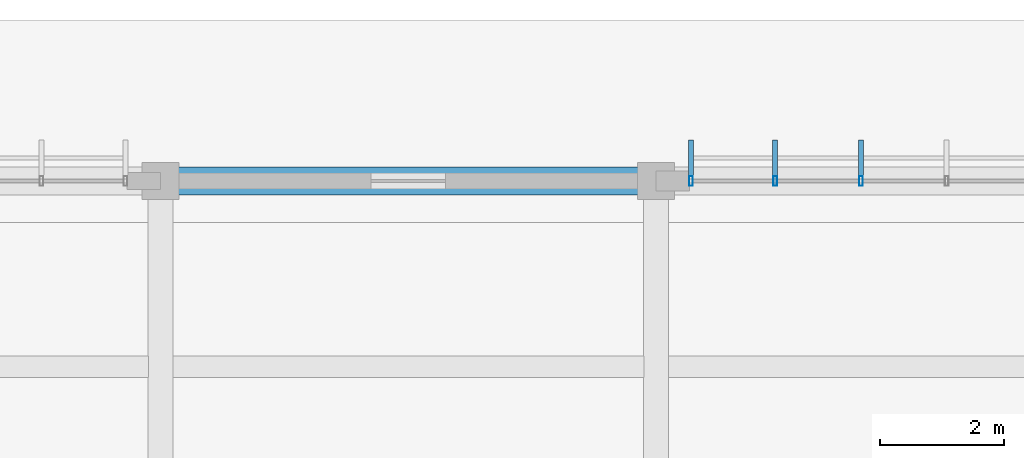
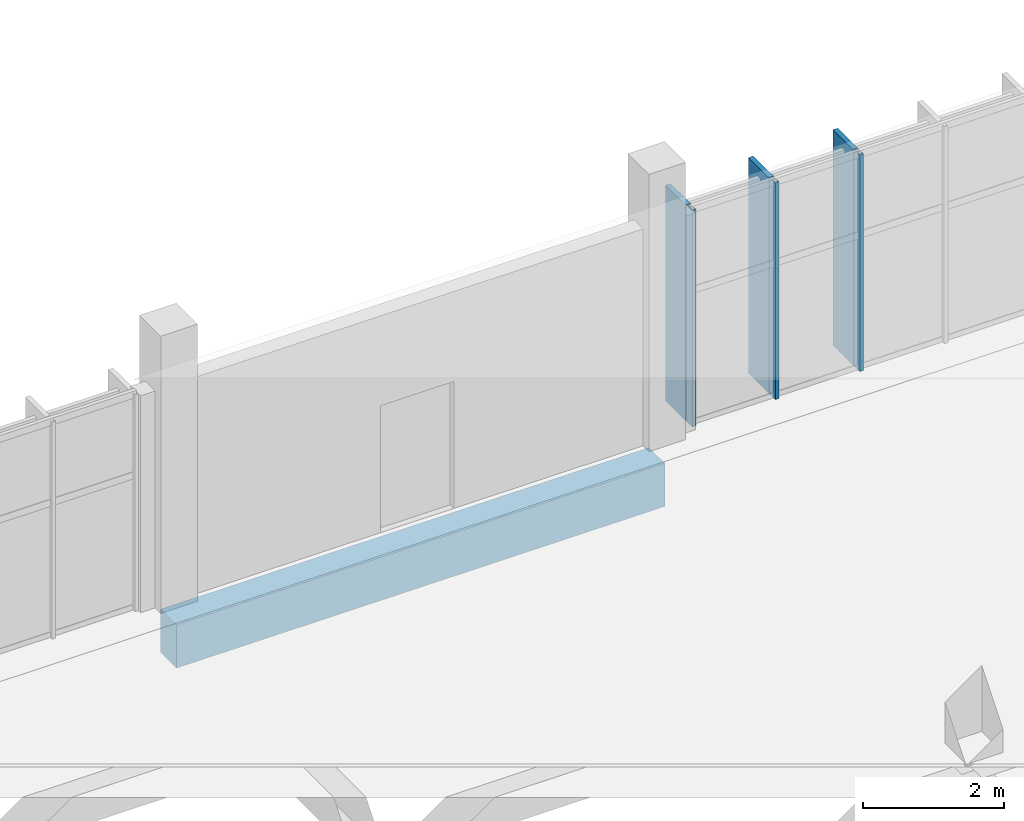
# One storey, part 95 of 151: 6 members, 1 beam, 1 element without a shape of its own.
"""IFC4 building model written with IfcOpenShell, lengths in metres."""

from ifc_helpers import new_model, si_unit, direction, frame, origin, origin_2d, place, context, subcontext, project, spatial, rectangle, hollow_rectangle, extrude, material, material_profile, profile_set, type_object, element, aggregate, save


model = new_model("IFC4")

# Units and contexts
model_context = context("Model", 3, precision=1e-05, world=origin(), true_north=direction((0.0, 1.0)))
body_context = subcontext(model_context, "Body", "Model", "MODEL_VIEW")
ifc_project = project(units=[si_unit("LENGTHUNIT", "METRE"), si_unit("AREAUNIT", "SQUARE_METRE"), si_unit("VOLUMEUNIT", "CUBIC_METRE"), si_unit("PLANEANGLEUNIT", "RADIAN"), si_unit("MASSUNIT", "GRAM", prefix="KILO")], contexts=[model_context])

# Site, building, storey
site_placement = place(None, origin())
site = spatial("IfcSite", under=ifc_project, at=site_placement, CompositionType="ELEMENT")
building_placement = place(site_placement, origin())
building = spatial("IfcBuilding", under=site, at=building_placement, Name="Chiffa Square Polytechnic", CompositionType="ELEMENT")
storey_placement = place(building_placement, origin())
storey = spatial("IfcBuildingStorey", under=building, at=storey_placement, Name="L00", CompositionType="ELEMENT", Elevation=0.0)

# Beam
ifc_material_1 = material(Name="Concrete C35/45", Category="concrete")
ifc_material_profile_1 = material_profile(ifc_material_1, rectangle(XDim=0.449951171875, YDim=0.75, at=origin_2d()), Name="RC 450x750")
ifc_profile_set_1 = profile_set([ifc_material_profile_1], Name="Concrete C35/45")
beam_type = type_object("IfcBeamType", Name="BM-RC-450X750", PredefinedType="BEAM", material=ifc_profile_set_1)
beam_placement = place(storey_placement, frame((32.0, 130.800048828125, -0.72509765625), z_axis=(1.0, 0.0, 0.0), x_axis=(0.0, 1.0, 0.0)))
element("IfcBeam", 1, at=beam_placement, inside=storey, type_object=beam_type, Name="Primary floor girder BM-V5-L00-X-0320-1308", PredefinedType="BEAM", context=body_context, shape_type="SweptSolid", body=[
    extrude(rectangle(XDim=0.449951171875, YDim=0.75, at=origin_2d()), origin(), (0.0, 0.0, 1.0), 8.0),
])

# Curtain wall, members
ifc_material_2 = material(Name="Aluminium EN AW-6060 T66 and glulam shading", Category="wood")
curtain_wall_type = type_object("IfcCurtainWallType", Name="CW-VERT-300X380", PredefinedType="USERDEFINED", material=ifc_material_2)
curtain_wall_placement = place(storey_placement, origin())
curtain_wall = element("IfcCurtainWall", 2, at=curtain_wall_placement, inside=storey, type_object=curtain_wall_type, Name="Curtain wall CW-V5-L00-195", ObjectType="CURTAIN WALL", PredefinedType="USERDEFINED")
ifc_material_3 = material(Name="Aluminium EN AW-6060 T66", Category="aluminium")
ifc_material_profile_2 = material_profile(ifc_material_3, hollow_rectangle(XDim=0.06005859375, YDim=0.159912109375, WallThickness=0.00390625, at=origin_2d()), Name="ALU 60x160x4")
ifc_profile_set_2 = profile_set([ifc_material_profile_2], Name="Aluminium EN AW-6060 T66")
member_type_1 = type_object("IfcMemberType", Name="CWM-ALU-65X150", PredefinedType="MULLION", material=ifc_profile_set_2)
member_1_placement = place(storey_placement, frame((43.30810546875, 130.800048828125, 0.0), z_axis=(0.0, 0.0, 1.0), x_axis=(1.0, 0.0, 0.0)))
member_1 = element("IfcMember", 3, at=member_1_placement, type_object=member_type_1, Name="Curtain wall mullion CW-V5-L00-195-M03", PredefinedType="MULLION", context=body_context, shape_type="SweptSolid", body=[
    extrude(hollow_rectangle(XDim=0.06005859375, YDim=0.159912109375, WallThickness=0.00390625, at=origin_2d()), origin(), (0.0, 0.0, 1.0), 3.7548828125),
])
member_2_placement = place(storey_placement, frame((41.924072265625, 130.800048828125, 0.0), z_axis=(0.0, 0.0, 1.0), x_axis=(1.0, 0.0, 0.0)))
member_2 = element("IfcMember", 4, at=member_2_placement, type_object=member_type_1, Name="Curtain wall mullion CW-V5-L00-195-M04", PredefinedType="MULLION", context=body_context, shape_type="SweptSolid", body=[
    extrude(hollow_rectangle(XDim=0.06005859375, YDim=0.159912109375, WallThickness=0.00390625, at=origin_2d()), origin(), (0.0, 0.0, 1.0), 3.7548828125),
])
member_3_placement = place(storey_placement, frame((40.56494140625, 130.800048828125, 0.0), z_axis=(0.0, 0.0, 1.0), x_axis=(1.0, 0.0, 0.0)))
member_3 = element("IfcMember", 5, at=member_3_placement, type_object=member_type_1, Name="Curtain wall mullion CW-V5-L00-195-M05", PredefinedType="MULLION", context=body_context, shape_type="SweptSolid", body=[
    extrude(hollow_rectangle(XDim=0.06005859375, YDim=0.159912109375, WallThickness=0.00390625, at=origin_2d()), origin(), (0.0, 0.0, 1.0), 3.7548828125),
])
ifc_material_4 = material(Name="Glulam GL28h", Category="wood")
ifc_material_profile_3 = material_profile(ifc_material_4, rectangle(XDim=0.080078125, YDim=0.580078125, at=origin_2d()), Name="GL28h 80x580")
ifc_profile_set_3 = profile_set([ifc_material_profile_3], Name="Glulam GL28h")
member_type_2 = type_object("IfcMemberType", Name="CWM-GL-80X580", PredefinedType="MULLION", material=ifc_profile_set_3)
member_4_placement = place(storey_placement, frame((43.30810546875, 131.172119140625, 0.010009765625), z_axis=(0.0, 0.0, 1.0), x_axis=(-1.0, 0.0, 0.0)))
member_4 = element("IfcMember", 6, at=member_4_placement, type_object=member_type_2, Name="Exterior glulam solar fin CW-V5-L00-195-FN03", PredefinedType="MULLION", context=body_context, shape_type="SweptSolid", body=[
    extrude(rectangle(XDim=0.080078125, YDim=0.580078125, at=origin_2d()), origin(), (0.0, 0.0, 1.0), 3.735107421875),
])
member_5_placement = place(storey_placement, frame((41.924072265625, 131.172119140625, 0.010009765625), z_axis=(0.0, 0.0, 1.0), x_axis=(-1.0, 0.0, 0.0)))
member_5 = element("IfcMember", 7, at=member_5_placement, type_object=member_type_2, Name="Exterior glulam solar fin CW-V5-L00-195-FN04", PredefinedType="MULLION", context=body_context, shape_type="SweptSolid", body=[
    extrude(rectangle(XDim=0.080078125, YDim=0.580078125, at=origin_2d()), origin(), (0.0, 0.0, 1.0), 3.735107421875),
])
member_6_placement = place(storey_placement, frame((40.56494140625, 131.172119140625, 0.010009765625), z_axis=(0.0, 0.0, 1.0), x_axis=(-1.0, 0.0, 0.0)))
member_6 = element("IfcMember", 8, at=member_6_placement, type_object=member_type_2, Name="Exterior glulam solar fin CW-V5-L00-195-FN05", PredefinedType="MULLION", context=body_context, shape_type="SweptSolid", body=[
    extrude(rectangle(XDim=0.080078125, YDim=0.580078125, at=origin_2d()), origin(), (0.0, 0.0, 1.0), 3.735107421875),
])
aggregate(curtain_wall, [member_1, member_4, member_2, member_5, member_3, member_6])

save(model, "model.ifc")
